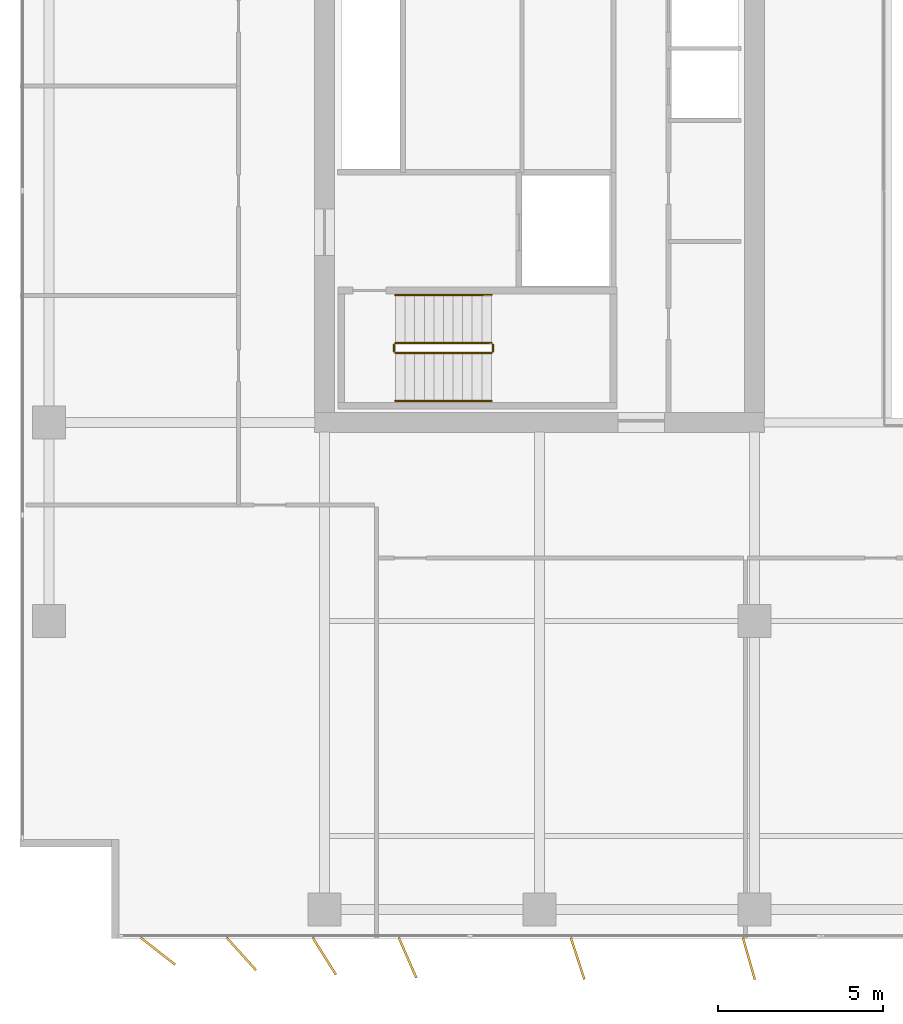
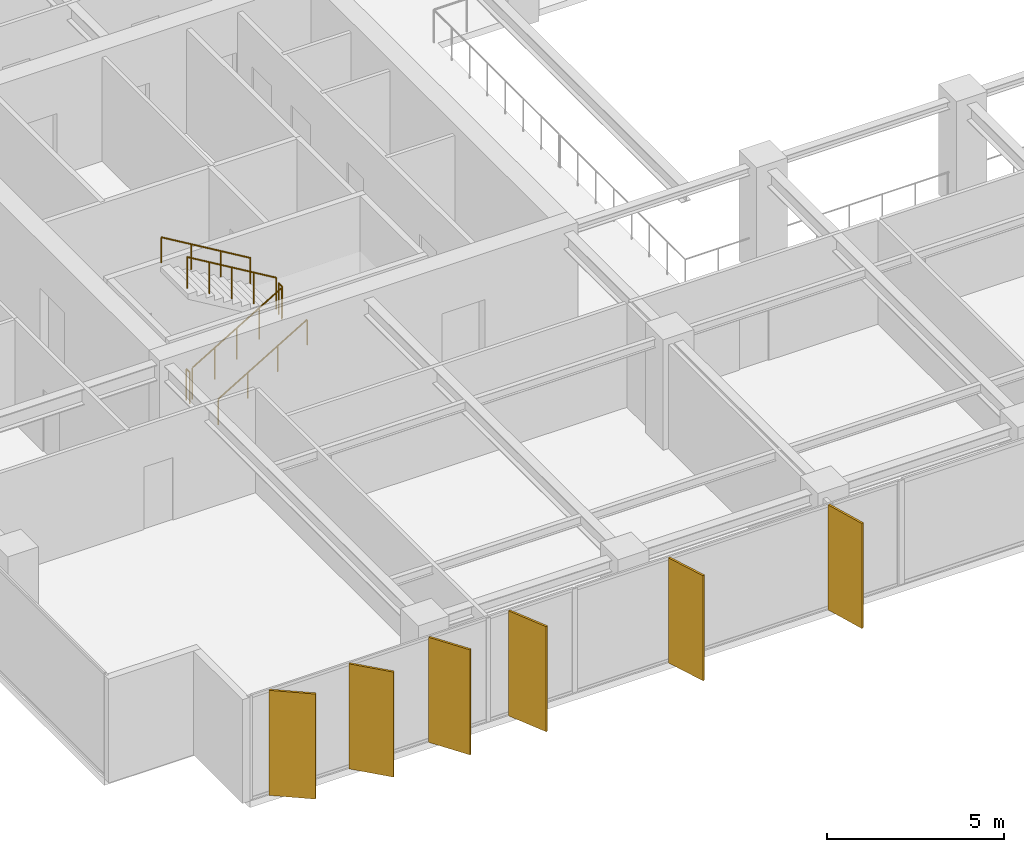
# One storey, part 19 of 22: 6 railings, 6 shading devices.
"""IFC4 building model written with IfcOpenShell, lengths in metres."""

from ifc_helpers import new_model, si_unit, direction, frame, origin, origin_2d, place, context, subcontext, project, spatial, rectangle, circle, extrude, material, layer, layer_set, type_object, element, save


model = new_model("IFC4")

# Units and contexts
model_context = context("Model", 3, precision=1e-05, world=origin(), true_north=direction((0.0, 1.0)))
body_context = subcontext(model_context, "Body", "Model", "MODEL_VIEW")
ifc_project = project(units=[si_unit("LENGTHUNIT", "METRE"), si_unit("AREAUNIT", "SQUARE_METRE"), si_unit("VOLUMEUNIT", "CUBIC_METRE"), si_unit("PLANEANGLEUNIT", "RADIAN"), si_unit("MASSUNIT", "GRAM", prefix="KILO")], contexts=[model_context])

# Site, building, storey
site_placement = place(None, origin())
site = spatial("IfcSite", under=ifc_project, at=site_placement, CompositionType="ELEMENT")
building_placement = place(site_placement, origin())
building = spatial("IfcBuilding", under=site, at=building_placement, Name="Putna Gate Headquarters", CompositionType="ELEMENT")
storey_placement = place(building_placement, frame((0.0, 0.0, 189.800048828125)))
storey = spatial("IfcBuildingStorey", under=building, at=storey_placement, Name="L47", CompositionType="ELEMENT", Elevation=189.800048828125)

# Railings
ifc_material_1 = material(Name="Powder-coated steel stair guardrail", Category="steel")
railing_type_1 = type_object("IfcRailingType", Name="RAIL-STAIR-GUARD-1100", PredefinedType="GUARDRAIL", material=ifc_material_1)
railing_1_placement = place(storey_placement, frame((15.14990234375, 21.10009765625, 0.172607421875)))
element("IfcRailing", 1, at=railing_1_placement, inside=storey, type_object=railing_type_1, Name="L47 ST1 stair guard 1", PredefinedType="GUARDRAIL", context=body_context, shape_type="SweptSolid", body=[
    extrude(circle(Radius=0.02392578125, at=origin_2d()), frame((0.0, 0.0, 1.076171875), z_axis=(0.859160404282, 0.0, 0.51170636083), x_axis=(0.0, 1.0, 0.0)), (0.0, 0.0, 1.0), 3.37548828125),
    extrude(circle(Radius=0.02099609375, at=origin_2d()), origin(), (0.0, 0.0, 1.0), 1.052001953125),
    extrude(circle(Radius=0.02099609375, at=origin_2d()), frame((0.72509765625, 0.0, 0.431884765625)), (0.0, 0.0, 1.0), 1.052001953125),
    extrude(circle(Radius=0.02099609375, at=origin_2d()), frame((1.4501953125, 0.0, 0.86376953125)), (0.0, 0.0, 1.0), 1.052001953125),
    extrude(circle(Radius=0.02099609375, at=origin_2d()), frame((2.175048828125, 0.0, 1.29541015625)), (0.0, 0.0, 1.0), 1.052001953125),
    extrude(circle(Radius=0.02099609375, at=origin_2d()), frame((2.900146484375, 0.0, 1.727294921875)), (0.0, 0.0, 1.0), 1.052001953125),
])
railing_2_placement = place(storey_placement, frame((18.10009765625, 21.14990234375, 1.89990234375)))
element("IfcRailing", 2, at=railing_2_placement, inside=storey, type_object=railing_type_1, Name="L47 ST1 stair guard 2", PredefinedType="GUARDRAIL", context=body_context, shape_type="SweptSolid", body=[
    extrude(circle(Radius=0.02392578125, at=origin_2d()), frame((0.0, 0.0, 1.076171875), z_axis=(0.0, 1.0, 0.0), x_axis=(-1.0, 0.0, 0.0)), (0.0, 0.0, 1.0), 0.2001953125),
    extrude(circle(Radius=0.02099609375, at=origin_2d()), origin(), (0.0, 0.0, 1.0), 1.052001953125),
    extrude(circle(Radius=0.02099609375, at=origin_2d()), frame((0.0, 0.2001953125, 0.0)), (0.0, 0.0, 1.0), 1.052001953125),
])
railing_3_placement = place(storey_placement, frame((18.050048828125, 21.39990234375, 2.07275390625)))
element("IfcRailing", 3, at=railing_3_placement, inside=storey, type_object=railing_type_1, Name="L47 ST1 stair guard 3", PredefinedType="GUARDRAIL", context=body_context, shape_type="SweptSolid", body=[
    extrude(circle(Radius=0.02392578125, at=origin_2d()), frame((0.0, 0.0, 1.076171875), z_axis=(-0.859160404282, 0.0, 0.51170636083), x_axis=(0.0, -1.0, 0.0)), (0.0, 0.0, 1.0), 3.37548828125),
    extrude(circle(Radius=0.02099609375, at=origin_2d()), origin(), (0.0, 0.0, 1.0), 1.052001953125),
    extrude(circle(Radius=0.02099609375, at=origin_2d()), frame((-0.72509765625, 0.0, 0.431884765625)), (0.0, 0.0, 1.0), 1.052001953125),
    extrude(circle(Radius=0.02099609375, at=origin_2d()), frame((-1.4501953125, 0.0, 0.86376953125)), (0.0, 0.0, 1.0), 1.052001953125),
    extrude(circle(Radius=0.02099609375, at=origin_2d()), frame((-2.175048828125, 0.0, 1.29541015625)), (0.0, 0.0, 1.0), 1.052001953125),
    extrude(circle(Radius=0.02099609375, at=origin_2d()), frame((-2.900146484375, 0.0, 1.727294921875)), (0.0, 0.0, 1.0), 1.052001953125),
])
railing_4_placement = place(storey_placement, frame((15.10009765625, 21.14990234375, 0.0)))
element("IfcRailing", 4, at=railing_4_placement, inside=storey, type_object=railing_type_1, Name="L47 ST1 stair guard 4", PredefinedType="GUARDRAIL", context=body_context, shape_type="SweptSolid", body=[
    extrude(circle(Radius=0.02392578125, at=origin_2d()), frame((0.0, 0.0, 1.076171875), z_axis=(0.0, 1.0, 0.0), x_axis=(-1.0, 0.0, 0.0)), (0.0, 0.0, 1.0), 0.2001953125),
    extrude(circle(Radius=0.02099609375, at=origin_2d()), origin(), (0.0, 0.0, 1.0), 1.052001953125),
    extrude(circle(Radius=0.02099609375, at=origin_2d()), frame((0.0, 0.2001953125, 0.0)), (0.0, 0.0, 1.0), 1.052001953125),
])
ifc_material_2 = material(Name="Brushed stainless steel handrail", Category="steel")
railing_type_2 = type_object("IfcRailingType", Name="RAIL-STAIR-HAND-900", PredefinedType="HANDRAIL", material=ifc_material_2)
railing_5_placement = place(storey_placement, frame((15.14990234375, 19.64990234375, 0.172607421875)))
element("IfcRailing", 5, at=railing_5_placement, inside=storey, type_object=railing_type_2, Name="L47 ST1 stair handrail 1", PredefinedType="HANDRAIL", context=body_context, shape_type="SweptSolid", body=[
    extrude(circle(Radius=0.02392578125, at=origin_2d()), frame((0.0, 0.0, 0.8759765625), z_axis=(0.859160404282, 0.0, 0.51170636083), x_axis=(0.0, 1.0, 0.0)), (0.0, 0.0, 1.0), 3.37548828125),
    extrude(circle(Radius=0.02099609375, at=origin_2d()), origin(), (0.0, 0.0, 1.0), 0.851806640625),
    extrude(circle(Radius=0.02099609375, at=origin_2d()), frame((0.966796875, 0.0, 0.57568359375)), (0.0, 0.0, 1.0), 0.851806640625),
    extrude(circle(Radius=0.02099609375, at=origin_2d()), frame((1.933349609375, 0.0, 1.151611328125)), (0.0, 0.0, 1.0), 0.851806640625),
    extrude(circle(Radius=0.02099609375, at=origin_2d()), frame((2.900146484375, 0.0, 1.727294921875)), (0.0, 0.0, 1.0), 0.851806640625),
])
railing_6_placement = place(storey_placement, frame((18.050048828125, 22.85009765625, 2.07275390625)))
element("IfcRailing", 6, at=railing_6_placement, inside=storey, type_object=railing_type_2, Name="L47 ST1 stair handrail 2", PredefinedType="HANDRAIL", context=body_context, shape_type="SweptSolid", body=[
    extrude(circle(Radius=0.02392578125, at=origin_2d()), frame((0.0, 0.0, 0.8759765625), z_axis=(-0.859160404282, 0.0, 0.51170636083), x_axis=(0.0, -1.0, 0.0)), (0.0, 0.0, 1.0), 3.37548828125),
    extrude(circle(Radius=0.02099609375, at=origin_2d()), origin(), (0.0, 0.0, 1.0), 0.851806640625),
    extrude(circle(Radius=0.02099609375, at=origin_2d()), frame((-0.966796875, 0.0, 0.57568359375)), (0.0, 0.0, 1.0), 0.851806640625),
    extrude(circle(Radius=0.02099609375, at=origin_2d()), frame((-1.933349609375, 0.0, 1.151611328125)), (0.0, 0.0, 1.0), 0.851806640625),
    extrude(circle(Radius=0.02099609375, at=origin_2d()), frame((-2.900146484375, 0.0, 1.727294921875)), (0.0, 0.0, 1.0), 0.851806640625),
])

# Shading devices
ifc_material_3 = material(Name="Anodised architectural bronze aluminium fin", Category="aluminium")
ifc_layer = layer(ifc_material_3, 0.06494140625)
ifc_layer_set = layer_set([ifc_layer], Name="Anodised architectural bronze aluminium fin")
shading_device_type = type_object("IfcShadingDeviceType", Name="SHADE-BRONZE-FIN-1320", PredefinedType="USERDEFINED", material=ifc_layer_set)
for number, where, z_axis, x_axis, name in (
    (7, (7.9697265625, 3.018310546875, -0.02001953125), (0.0, 0.0, 1.0), (0.787473187632, -0.616348909921, 0.0), "L47 Bronze Vertical Shading Fin S1"),
    (8, (10.49169921875, 2.9345703125, -0.02001953125), (0.0, 0.0, 1.0), (0.669130606359, -0.743144825477, 0.0), "L47 Bronze Vertical Shading Fin S2"),
    (9, (13.000244140625, 2.865478515625, -0.02001953125), (0.0, 0.0, 1.0), (0.530659123936, -0.847585331506, 0.0), "L47 Bronze Vertical Shading Fin S3"),
    (10, (15.514404296875, 2.8203125, -0.02001953125), (0.0, 0.0, 1.0), (0.400668879095, -0.916222925562, 0.0), "L47 Bronze Vertical Shading Fin S4"),
    (11, (20.65380859375, 2.797119140625, -0.02001953125), (0.0, 0.0, 1.0), (0.308684994204, -0.951164325631, 0.0), "L47 Bronze Vertical Shading Fin S5"),
    (12, (25.831787109375, 2.79052734375, -0.02001953125), (0.0, 0.0, 1.0), (0.275637355817, -0.961261695938, 0.0), "L47 Bronze Vertical Shading Fin S6"),
):
    element("IfcShadingDevice", number, at=place(storey_placement, frame(where, z_axis=z_axis, x_axis=x_axis)), inside=storey, type_object=shading_device_type, Name=name, ObjectType="FIN", PredefinedType="USERDEFINED", context=body_context, shape_type="SweptSolid", body=[
        extrude(rectangle(XDim=1.320068359375, YDim=0.06494140625, at=origin_2d()), origin(), (0.0, 0.0, 1.0), 3.612060546875),
    ])

save(model, "model.ifc")
